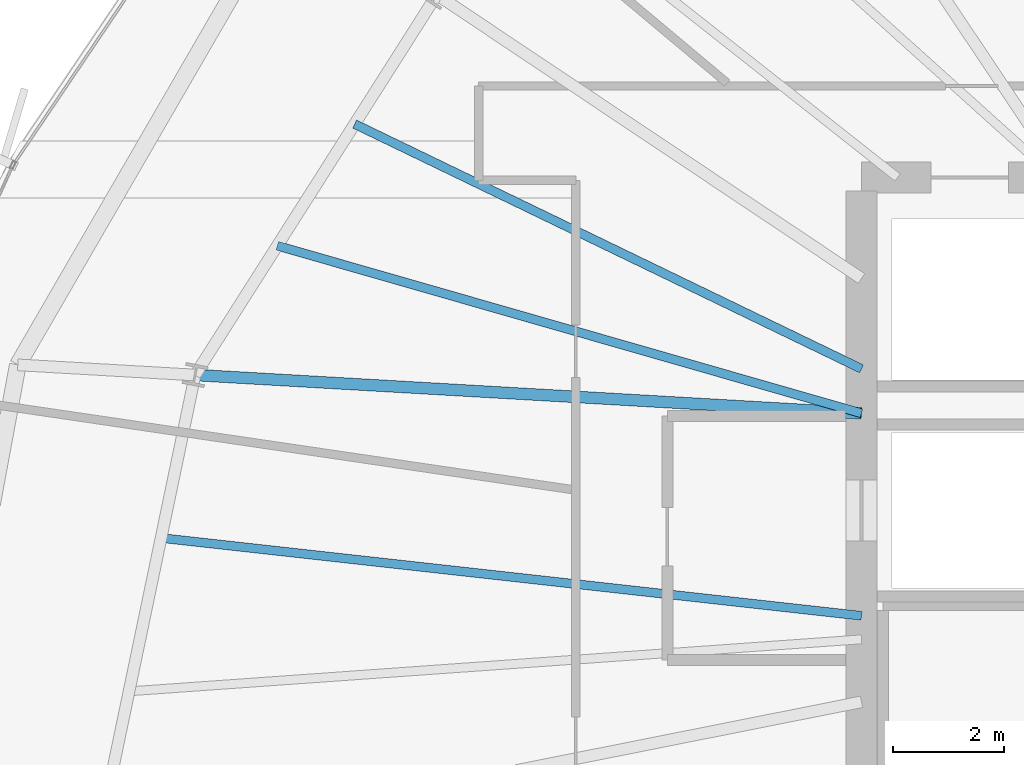
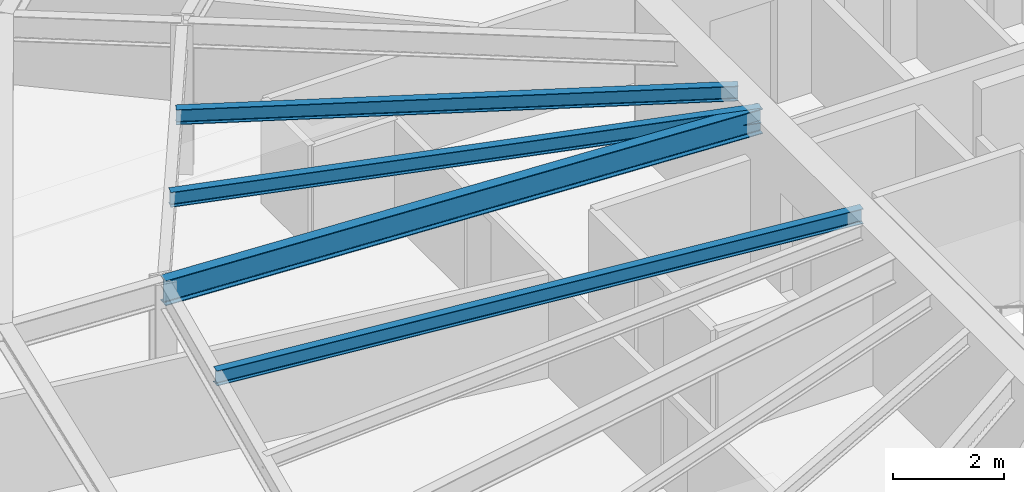
# One storey, part 11 of 35: 4 beams.
"""IFC4 building model written with IfcOpenShell, lengths in metres."""

from ifc_helpers import new_model, si_unit, direction, frame, origin, origin_2d, place, context, subcontext, project, spatial, i_section, extrude, source, transform, mapped, material, material_profile, profile_set, type_object, element, save


model = new_model("IFC4")

# Units and contexts
model_context = context("Model", 3, precision=1e-05, world=origin(), true_north=direction((0.0, 1.0)))
body_context = subcontext(model_context, "Body", "Model", "MODEL_VIEW")
ifc_project = project(units=[si_unit("LENGTHUNIT", "METRE"), si_unit("AREAUNIT", "SQUARE_METRE"), si_unit("VOLUMEUNIT", "CUBIC_METRE"), si_unit("PLANEANGLEUNIT", "RADIAN"), si_unit("MASSUNIT", "GRAM", prefix="KILO"), si_unit("THERMODYNAMICTEMPERATUREUNIT", "KELVIN")], contexts=[model_context])

# Site, building, storey
site_placement = place(None, origin())
site = spatial("IfcSite", under=ifc_project, at=site_placement, CompositionType="ELEMENT")
building_placement = place(site_placement, origin())
building = spatial("IfcBuilding", under=site, at=building_placement, Name="Kethvar Cultural Tower", CompositionType="ELEMENT")
storey_placement = place(building_placement, frame((0.0, 0.0, 139.449951171875)))
storey = spatial("IfcBuildingStorey", under=building, at=storey_placement, Name="L35", CompositionType="ELEMENT", Elevation=139.449951171875)

# Beams
ifc_material = material(Name="Steel S355J2", Category="steel")
ifc_material_profile_1 = material_profile(ifc_material, i_section(OverallWidth=0.2099609375, OverallDepth=0.550048828125, WebThickness=0.010986328125, FlangeThickness=0.01708984375, FilletRadius=0.02392578125, at=origin_2d()), Name="Steel S355J2 — IPE550")
ifc_profile_set_1 = profile_set([ifc_material_profile_1], Name="Steel S355J2 — IPE550")
beam_type_1 = type_object("IfcBeamType", Name="BM-IPE550", PredefinedType="BEAM", material=ifc_profile_set_1)
shared_shape_1 = source(origin(), body_context, "Body", "SweptSolid", [
    extrude(i_section(OverallWidth=0.2099609375, OverallDepth=0.550048828125, WebThickness=0.010986328125, FlangeThickness=0.01708984375, FilletRadius=0.02392578125, at=origin_2d()), origin(), (0.0, 0.0, 1.0), 12.03125),
])
beam_1_placement = place(storey_placement, frame((38.0, 31.25, 3.02294921875), z_axis=(-0.998355544741, 0.057325441856, 0.0), x_axis=(-0.057325441856, -0.998355544741, 0.0)))
element("IfcBeam", 1, at=beam_1_placement, inside=storey, type_object=beam_type_1, Name="L35 Primary Radial Beam RB-08", PredefinedType="BEAM", context=body_context, shape_type="MappedRepresentation", body=[
    mapped(shared_shape_1, transform((0.0, 0.0, 0.0), scale=1.0)),
])
ifc_material_profile_2 = material_profile(ifc_material, i_section(OverallWidth=0.159912109375, OverallDepth=0.330078125, WebThickness=0.007568359375, FlangeThickness=0.011474609375, FilletRadius=0.01806640625, at=origin_2d()), Name="Steel S355J2 — IPE330")
ifc_profile_set_2 = profile_set([ifc_material_profile_2], Name="Steel S355J2 — IPE330")
beam_type_2 = type_object("IfcBeamType", Name="BM-J330", PredefinedType="JOIST", material=ifc_profile_set_2)
shared_shape_2 = source(origin(), body_context, "Body", "SweptSolid", [
    extrude(i_section(OverallWidth=0.159912109375, OverallDepth=0.330078125, WebThickness=0.007568359375, FlangeThickness=0.011474609375, FilletRadius=0.01806640625, at=origin_2d()), origin(), (0.0, 0.0, 1.0), 10.1455078125),
])
beam_2_placement = place(storey_placement, frame((38.0, 32.05078125, 3.133056640625), z_axis=(-0.90045122575, 0.434956997927, 0.0), x_axis=(-0.434956997927, -0.90045122575, 0.0)))
element("IfcBeam", 2, at=beam_2_placement, inside=storey, type_object=beam_type_2, Name="L35 Composite Floor Joist J-07A", PredefinedType="JOIST", context=body_context, shape_type="MappedRepresentation", body=[
    mapped(shared_shape_2, transform((0.0, 0.0, 0.0), scale=1.0)),
])
shared_shape_3 = source(origin(), body_context, "Body", "SweptSolid", [
    extrude(i_section(OverallWidth=0.159912109375, OverallDepth=0.330078125, WebThickness=0.007568359375, FlangeThickness=0.011474609375, FilletRadius=0.01806640625, at=origin_2d()), origin(), (0.0, 0.0, 1.0), 10.95458984375),
])
beam_3_placement = place(storey_placement, frame((38.0, 31.25, 3.133056640625), z_axis=(-0.96124170623, 0.275707058676, 0.0), x_axis=(-0.275707058676, -0.96124170623, 0.0)))
element("IfcBeam", 3, at=beam_3_placement, inside=storey, type_object=beam_type_2, Name="L35 Composite Floor Joist J-07B", PredefinedType="JOIST", context=body_context, shape_type="MappedRepresentation", body=[
    mapped(shared_shape_3, transform((0.0, 0.0, 0.0), scale=1.0)),
])
shared_shape_4 = source(origin(), body_context, "Body", "SweptSolid", [
    extrude(i_section(OverallWidth=0.159912109375, OverallDepth=0.330078125, WebThickness=0.007568359375, FlangeThickness=0.011474609375, FilletRadius=0.01806640625, at=origin_2d()), origin(), (0.0, 0.0, 1.0), 12.7021484375),
])
beam_4_placement = place(storey_placement, frame((38.0, 27.60009765625, 3.133056640625), z_axis=(-0.993884906591, 0.110420978309, 0.0), x_axis=(-0.110420978309, -0.993884906591, 0.0)))
element("IfcBeam", 4, at=beam_4_placement, inside=storey, type_object=beam_type_2, Name="L35 Composite Floor Joist J-08A", PredefinedType="JOIST", context=body_context, shape_type="MappedRepresentation", body=[
    mapped(shared_shape_4, transform((0.0, 0.0, 0.0), scale=1.0)),
])

save(model, "model.ifc")
